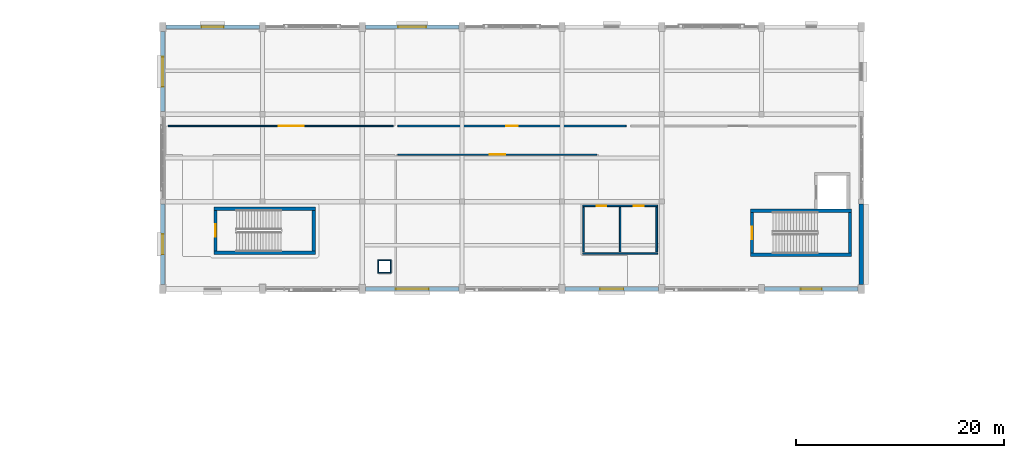
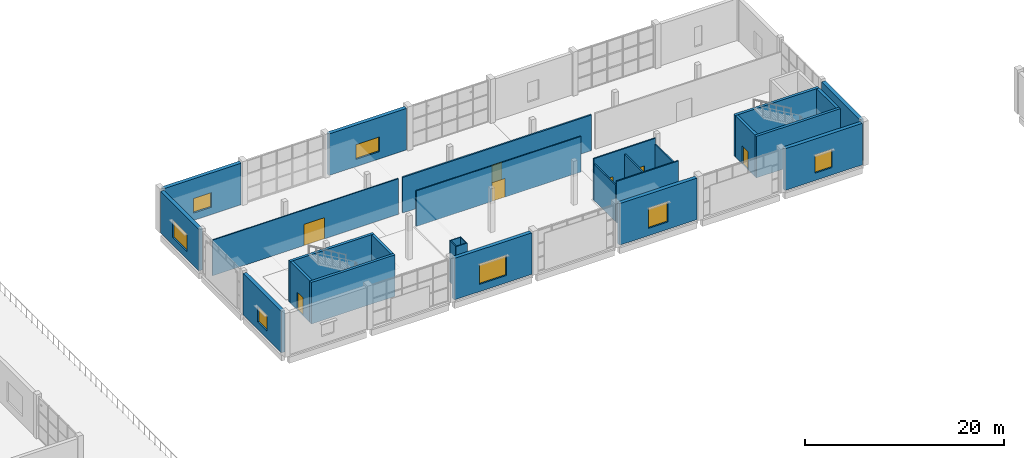
# One storey, part 48 of 72: 28 walls, 7 doors, 7 windows, 14 openings.
"""IFC4 building model written with IfcOpenShell, lengths in metres."""

from ifc_helpers import new_model, si_unit, direction, frame, frame_2d, origin, place, context, subcontext, project, spatial, rectangle, extrude, material, layer, layer_set, type_object, element, fill, save


model = new_model("IFC4")

# Units and contexts
model_context = context("Model", 3, precision=1e-05, world=origin(), true_north=direction((0.0, 1.0)))
body_context = subcontext(model_context, "Body", "Model", "MODEL_VIEW")
ifc_project = project(units=[si_unit("LENGTHUNIT", "METRE"), si_unit("AREAUNIT", "SQUARE_METRE"), si_unit("VOLUMEUNIT", "CUBIC_METRE"), si_unit("PLANEANGLEUNIT", "RADIAN"), si_unit("MASSUNIT", "GRAM", prefix="KILO")], contexts=[model_context])

# Site, building, storey
site_placement = place(None, origin())
site = spatial("IfcSite", under=ifc_project, at=site_placement, CompositionType="ELEMENT")
building_placement = place(site_placement, origin())
building = spatial("IfcBuilding", under=site, at=building_placement, Name="Shalvenor Court Art Gallery", CompositionType="ELEMENT")
storey_placement = place(building_placement, frame((0.0, 0.0, 11.39990234375)))
storey = spatial("IfcBuildingStorey", under=building, at=storey_placement, Name="L02", CompositionType="ELEMENT", Elevation=11.39990234375)

# Walls
ifc_material_1 = material(Name="Concrete C40/50", Category="concrete")
ifc_layer_1 = layer(ifc_material_1, 0.31005859375, Name="Concrete C40/50")
ifc_layer_set_1 = layer_set([ifc_layer_1], Name="Concrete C40/50")
wall_type_1 = type_object("IfcWallType", Name="CW-W2", PredefinedType="SHEAR", material=ifc_layer_set_1)
wall_1_placement = place(storey_placement, frame((114.1279296875, 104.717041015625, 0.0), z_axis=(0.0, 0.0, 1.0), x_axis=(1.0, 0.0, 0.0)))
element("IfcWall", 1, at=wall_1_placement, inside=storey, type_object=wall_type_1, Name="L02 C5 Stair Core Shear Wall N", PredefinedType="SHEAR", context=body_context, shape_type="SweptSolid", body=[
    extrude(rectangle(XDim=9.744140625, YDim=0.31005859375, at=frame_2d((4.8720703125, 0.0))), origin(), (0.0, 0.0, 1.0), 5.10009765625),
])
wall_2_placement = place(storey_placement, frame((123.717041015625, 104.56201171875, 0.0), z_axis=(0.0, 0.0, 1.0), x_axis=(0.0, -1.0, 0.0)))
element("IfcWall", 2, at=wall_2_placement, inside=storey, type_object=wall_type_1, Name="L02 C5 Stair Core Shear Wall E", PredefinedType="SHEAR", context=body_context, shape_type="SweptSolid", body=[
    extrude(rectangle(XDim=3.924072265625, YDim=0.31005859375, at=frame_2d((1.9619140625, 0.0))), origin(), (0.0, 0.0, 1.0), 5.10009765625),
])
wall_3_placement = place(storey_placement, frame((123.8720703125, 100.48291015625, 0.0), z_axis=(0.0, 0.0, 1.0), x_axis=(-1.0, 0.0, 0.0)))
element("IfcWall", 3, at=wall_3_placement, inside=storey, type_object=wall_type_1, Name="L02 C5 Stair Core Shear Wall S", PredefinedType="SHEAR", context=body_context, shape_type="SweptSolid", body=[
    extrude(rectangle(XDim=9.744140625, YDim=0.31005859375, at=frame_2d((4.8720703125, 0.0))), origin(), (0.0, 0.0, 1.0), 5.10009765625),
])

# Wall, opening, door
wall_4_placement = place(storey_placement, frame((114.282958984375, 100.637939453125, 0.0), z_axis=(0.0, 0.0, 1.0), x_axis=(0.0, 1.0, 0.0)))
wall_4 = element("IfcWall", 4, at=wall_4_placement, inside=storey, type_object=wall_type_1, Name="L02 C5 Stair Core Shear Wall W", PredefinedType="SHEAR", context=body_context, shape_type="SweptSolid", body=[
    extrude(rectangle(XDim=3.924072265625, YDim=0.31005859375, at=frame_2d((1.9619140625, 0.0))), origin(), (0.0, 0.0, 1.0), 5.10009765625),
])
opening_1_placement = place(wall_4_placement, frame((1.362060546875, 0.0, 0.0)))
opening_1 = element("IfcOpeningElement", 5, at=opening_1_placement, cuts=wall_4, Name="Opening FD-01", PredefinedType="OPENING", context=body_context, shape_type="SweptSolid", body=[
    extrude(rectangle(XDim=1.199951171875, YDim=2.199951171875, at=frame_2d((0.60009765625, 1.10009765625))), frame((0.0, 0.1650390625, 0.0), z_axis=(0.0, -1.0, 0.0), x_axis=(1.0, 0.0, 0.0)), (0.0, 0.0, 1.0), 0.330078125),
])
ifc_material_2 = material(Name="Fire-rated steel stair doorset", Category="steel")
door_type_1 = type_object("IfcDoorType", Name="FD-01", OperationType="NOTDEFINED", PredefinedType="DOOR", material=ifc_material_2)
door_1_placement = place(opening_1_placement, origin())
door_1 = element("IfcDoor", 6, at=door_1_placement, inside=storey, type_object=door_type_1, Name="DR-ST-L02-C5 L02 ST-05 Fire Stair Door", OperationType="SINGLE_SWING_LEFT", OverallHeight=2.199951171875, OverallWidth=1.199951171875, PredefinedType="DOOR", context=body_context, shape_type="SweptSolid", body=[
    extrude(rectangle(XDim=1.199951171875, YDim=2.199951171875, at=frame_2d((0.60009765625, 1.10009765625))), frame((0.0, 0.02490234375, 0.0), z_axis=(0.0, -1.0, 0.0), x_axis=(1.0, 0.0, 0.0)), (0.0, 0.0, 1.0), 0.050048828125),
])
fill(opening_1, door_1)

# Walls
wall_5_placement = place(storey_placement, frame((62.528076171875, 104.9169921875, 0.0), z_axis=(0.0, 0.0, 1.0), x_axis=(1.0, 0.0, 0.0)))
element("IfcWall", 7, at=wall_5_placement, inside=storey, type_object=wall_type_1, Name="L02 C9 Stair Core Shear Wall N", PredefinedType="SHEAR", context=body_context, shape_type="SweptSolid", body=[
    extrude(rectangle(XDim=9.743896484375, YDim=0.31005859375, at=frame_2d((4.8720703125, 0.0))), origin(), (0.0, 0.0, 1.0), 5.10009765625),
])
wall_6_placement = place(storey_placement, frame((72.116943359375, 104.761962890625, 0.0), z_axis=(0.0, 0.0, 1.0), x_axis=(0.0, -1.0, 0.0)))
element("IfcWall", 8, at=wall_6_placement, inside=storey, type_object=wall_type_1, Name="L02 C9 Stair Core Shear Wall E", PredefinedType="SHEAR", context=body_context, shape_type="SweptSolid", body=[
    extrude(rectangle(XDim=3.924072265625, YDim=0.31005859375, at=frame_2d((1.9619140625, 0.0))), origin(), (0.0, 0.0, 1.0), 5.10009765625),
])
wall_7_placement = place(storey_placement, frame((72.27197265625, 100.68310546875, 0.0), z_axis=(0.0, 0.0, 1.0), x_axis=(-1.0, 0.0, 0.0)))
element("IfcWall", 9, at=wall_7_placement, inside=storey, type_object=wall_type_1, Name="L02 C9 Stair Core Shear Wall S", PredefinedType="SHEAR", context=body_context, shape_type="SweptSolid", body=[
    extrude(rectangle(XDim=9.743896484375, YDim=0.31005859375, at=frame_2d((4.8720703125, 0.0))), origin(), (0.0, 0.0, 1.0), 5.10009765625),
])

# Wall, opening, door
wall_8_placement = place(storey_placement, frame((62.68310546875, 100.837890625, 0.0), z_axis=(0.0, 0.0, 1.0), x_axis=(0.0, 1.0, 0.0)))
wall_8 = element("IfcWall", 10, at=wall_8_placement, inside=storey, type_object=wall_type_1, Name="L02 C9 Stair Core Shear Wall W", PredefinedType="SHEAR", context=body_context, shape_type="SweptSolid", body=[
    extrude(rectangle(XDim=3.924072265625, YDim=0.31005859375, at=frame_2d((1.9619140625, 0.0))), origin(), (0.0, 0.0, 1.0), 5.10009765625),
])
opening_2_placement = place(wall_8_placement, frame((1.362060546875, 0.0, 0.0)))
opening_2 = element("IfcOpeningElement", 11, at=opening_2_placement, cuts=wall_8, Name="Opening FD-01", PredefinedType="OPENING", context=body_context, shape_type="SweptSolid", body=[
    extrude(rectangle(XDim=1.199951171875, YDim=2.199951171875, at=frame_2d((0.60009765625, 1.10009765625))), frame((0.0, 0.1650390625, 0.0), z_axis=(0.0, -1.0, 0.0), x_axis=(1.0, 0.0, 0.0)), (0.0, 0.0, 1.0), 0.330078125),
])
door_2_placement = place(opening_2_placement, origin())
door_2 = element("IfcDoor", 12, at=door_2_placement, inside=storey, type_object=door_type_1, Name="DR-ST-L02-C9 L02 ST-09 Fire Stair Door", OperationType="SINGLE_SWING_LEFT", OverallHeight=2.199951171875, OverallWidth=1.199951171875, PredefinedType="DOOR", context=body_context, shape_type="SweptSolid", body=[
    extrude(rectangle(XDim=1.199951171875, YDim=2.199951171875, at=frame_2d((0.60009765625, 1.10009765625))), frame((0.0, 0.02490234375, 0.0), z_axis=(0.0, -1.0, 0.0), x_axis=(1.0, 0.0, 0.0)), (0.0, 0.0, 1.0), 0.050048828125),
])
fill(opening_2, door_2)

# Wall, opening, window
ifc_material_3 = material(Name="Concrete C40/50", Category="concrete")
ifc_layer_2 = layer(ifc_material_3, 0.419921875, Name="Concrete C40/50")
ifc_layer_set_2 = layer_set([ifc_layer_2], Name="Concrete C40/50")
wall_type_2 = type_object("IfcWallType", Name="EW-02", PredefinedType="SOLIDWALL", material=ifc_layer_set_2)
wall_9_placement = place(storey_placement, frame((57.89990234375, 122.39990234375, 0.0), z_axis=(0.0, 0.0, 1.0), x_axis=(1.0, 0.0, 0.0)))
wall_9 = element("IfcWall", 13, at=wall_9_placement, inside=storey, type_object=wall_type_2, Name="L02 V2 Exterior Wall WL-L02-0142", PredefinedType="SOLIDWALL", context=body_context, shape_type="SweptSolid", body=[
    extrude(rectangle(XDim=9.0, YDim=0.419921875, at=frame_2d((4.5, 0.0))), origin(), (0.0, 0.0, 1.0), 5.10009765625),
])
opening_3_placement = place(wall_9_placement, frame((3.449951171875, 0.0, 0.89990234375)))
opening_3 = element("IfcOpeningElement", 14, at=opening_3_placement, cuts=wall_9, Name="Opening WN-11", PredefinedType="OPENING", context=body_context, shape_type="SweptSolid", body=[
    extrude(rectangle(XDim=2.10009765625, YDim=1.800048828125, at=frame_2d((1.050048828125, 0.89990234375))), frame((0.0, 0.219970703125, 0.0), z_axis=(0.0, -1.0, 0.0), x_axis=(1.0, 0.0, 0.0)), (0.0, 0.0, 1.0), 0.43994140625),
])
ifc_material_4 = material(Name="Acoustic laminated studio IGU", Category="glass")
window_type_1 = type_object("IfcWindowType", Name="WN-11", PartitioningType="SINGLE_PANEL", PredefinedType="WINDOW", material=ifc_material_4)
window_1_placement = place(opening_3_placement, origin())
window_1 = element("IfcWindow", 15, at=window_1_placement, inside=storey, type_object=window_type_1, Name="L02 Window WIN-L02-0033", OverallHeight=1.800048828125, OverallWidth=2.10009765625, PartitioningType="SINGLE_PANEL", PredefinedType="WINDOW", context=body_context, shape_type="SweptSolid", body=[
    extrude(rectangle(XDim=2.10009765625, YDim=1.800048828125, at=frame_2d((1.050048828125, 0.89990234375))), frame((0.0, 0.030029296875, 0.0), z_axis=(0.0, -1.0, 0.0), x_axis=(1.0, 0.0, 0.0)), (0.0, 0.0, 1.0), 0.06005859375),
])
fill(opening_3, window_1)

wall_10_placement = place(storey_placement, frame((77.10009765625, 122.39990234375, 0.0), z_axis=(0.0, 0.0, 1.0), x_axis=(1.0, 0.0, 0.0)))
wall_10 = element("IfcWall", 16, at=wall_10_placement, inside=storey, type_object=wall_type_2, Name="L02 V2 Exterior Wall WL-L02-0143", PredefinedType="SOLIDWALL", context=body_context, shape_type="SweptSolid", body=[
    extrude(rectangle(XDim=9.0, YDim=0.419921875, at=frame_2d((4.5, 0.0))), origin(), (0.0, 0.0, 1.0), 5.10009765625),
])
opening_4_placement = place(wall_10_placement, frame((3.14990234375, 0.0, 0.89990234375)))
opening_4 = element("IfcOpeningElement", 17, at=opening_4_placement, cuts=wall_10, Name="Opening WN-12", PredefinedType="OPENING", context=body_context, shape_type="SweptSolid", body=[
    extrude(rectangle(XDim=2.699951171875, YDim=1.800048828125, at=frame_2d((1.35009765625, 0.89990234375))), frame((0.0, 0.219970703125, 0.0), z_axis=(0.0, -1.0, 0.0), x_axis=(1.0, 0.0, 0.0)), (0.0, 0.0, 1.0), 0.43994140625),
])
ifc_material_5 = material(Name="Acoustic laminated studio IGU", Category="glass")
window_type_2 = type_object("IfcWindowType", Name="WN-12", PartitioningType="SINGLE_PANEL", PredefinedType="WINDOW", material=ifc_material_5)
window_2_placement = place(opening_4_placement, origin())
window_2 = element("IfcWindow", 18, at=window_2_placement, inside=storey, type_object=window_type_2, Name="L02 Window WIN-L02-0034", OverallHeight=1.800048828125, OverallWidth=2.699951171875, PartitioningType="SINGLE_PANEL", PredefinedType="WINDOW", context=body_context, shape_type="SweptSolid", body=[
    extrude(rectangle(XDim=2.699951171875, YDim=1.800048828125, at=frame_2d((1.35009765625, 0.89990234375))), frame((0.0, 0.030029296875, 0.0), z_axis=(0.0, -1.0, 0.0), x_axis=(1.0, 0.0, 0.0)), (0.0, 0.0, 1.0), 0.06005859375),
])
fill(opening_4, window_2)

# Wall
wall_11_placement = place(storey_placement, frame((124.800048828125, 105.35009765625, 0.0), z_axis=(0.0, 0.0, 1.0), x_axis=(0.0, -1.0, 0.0)))
element("IfcWall", 19, at=wall_11_placement, inside=storey, type_object=wall_type_2, Name="L02 V2 Exterior Wall WL-L02-0147", PredefinedType="SOLIDWALL", context=body_context, shape_type="SweptSolid", body=[
    extrude(rectangle(XDim=7.7001953125, YDim=0.419921875, at=frame_2d((3.85009765625, 0.0))), origin(), (0.0, 0.0, 1.0), 5.10009765625),
])

# Wall, opening, window
wall_12_placement = place(storey_placement, frame((124.5, 97.199951171875, 0.0), z_axis=(0.0, 0.0, 1.0), x_axis=(-1.0, 0.0, 0.0)))
wall_12 = element("IfcWall", 20, at=wall_12_placement, inside=storey, type_object=wall_type_2, Name="L02 V2 Exterior Wall WL-L02-0148", PredefinedType="SOLIDWALL", context=body_context, shape_type="SweptSolid", body=[
    extrude(rectangle(XDim=9.0, YDim=0.419921875, at=frame_2d((4.5, 0.0))), origin(), (0.0, 0.0, 1.0), 5.10009765625),
])
opening_5_placement = place(wall_12_placement, frame((3.5, 0.0, 0.89990234375)))
opening_5 = element("IfcOpeningElement", 21, at=opening_5_placement, cuts=wall_12, Name="Opening WN-16", PredefinedType="OPENING", context=body_context, shape_type="SweptSolid", body=[
    extrude(rectangle(XDim=2.0, YDim=2.25, at=frame_2d((1.0, 1.125))), frame((0.0, 0.219970703125, 0.0), z_axis=(0.0, -1.0, 0.0), x_axis=(1.0, 0.0, 0.0)), (0.0, 0.0, 1.0), 0.43994140625),
])
ifc_material_6 = material(Name="Low-iron solar-control double IGU", Category="glass")
window_type_3 = type_object("IfcWindowType", Name="WN-16", PartitioningType="SINGLE_PANEL", PredefinedType="WINDOW", material=ifc_material_6)
window_3_placement = place(opening_5_placement, origin())
window_3 = element("IfcWindow", 22, at=window_3_placement, inside=storey, type_object=window_type_3, Name="L02 Window WIN-L02-0038", OverallHeight=2.25, OverallWidth=2.0, PartitioningType="SINGLE_PANEL", PredefinedType="WINDOW", context=body_context, shape_type="SweptSolid", body=[
    extrude(rectangle(XDim=2.0, YDim=2.25, at=frame_2d((1.0, 1.125))), frame((0.0, 0.030029296875, 0.0), z_axis=(0.0, -1.0, 0.0), x_axis=(1.0, 0.0, 0.0)), (0.0, 0.0, 1.0), 0.06005859375),
])
fill(opening_5, window_3)

wall_13_placement = place(storey_placement, frame((105.300048828125, 97.199951171875, 0.0), z_axis=(0.0, 0.0, 1.0), x_axis=(-1.0, 0.0, 0.0)))
wall_13 = element("IfcWall", 23, at=wall_13_placement, inside=storey, type_object=wall_type_2, Name="L02 V2 Exterior Wall WL-L02-0149", PredefinedType="SOLIDWALL", context=body_context, shape_type="SweptSolid", body=[
    extrude(rectangle(XDim=9.0, YDim=0.419921875, at=frame_2d((4.5, 0.0))), origin(), (0.0, 0.0, 1.0), 5.10009765625),
])
opening_6_placement = place(wall_13_placement, frame((3.375, 0.0, 0.89990234375)))
opening_6 = element("IfcOpeningElement", 24, at=opening_6_placement, cuts=wall_13, Name="Opening WN-17", PredefinedType="OPENING", context=body_context, shape_type="SweptSolid", body=[
    extrude(rectangle(XDim=2.25, YDim=2.5, at=frame_2d((1.125, 1.25))), frame((0.0, 0.219970703125, 0.0), z_axis=(0.0, -1.0, 0.0), x_axis=(1.0, 0.0, 0.0)), (0.0, 0.0, 1.0), 0.43994140625),
])
ifc_material_7 = material(Name="North-light conservation clear IGU", Category="glass")
window_type_4 = type_object("IfcWindowType", Name="WN-17", PartitioningType="SINGLE_PANEL", PredefinedType="WINDOW", material=ifc_material_7)
window_4_placement = place(opening_6_placement, origin())
window_4 = element("IfcWindow", 25, at=window_4_placement, inside=storey, type_object=window_type_4, Name="L02 Window WIN-L02-0039", OverallHeight=2.5, OverallWidth=2.25, PartitioningType="SINGLE_PANEL", PredefinedType="WINDOW", context=body_context, shape_type="SweptSolid", body=[
    extrude(rectangle(XDim=2.25, YDim=2.5, at=frame_2d((1.125, 1.25))), frame((0.0, 0.030029296875, 0.0), z_axis=(0.0, -1.0, 0.0), x_axis=(1.0, 0.0, 0.0)), (0.0, 0.0, 1.0), 0.06005859375),
])
fill(opening_6, window_4)

wall_14_placement = place(storey_placement, frame((86.10009765625, 97.199951171875, 0.0), z_axis=(0.0, 0.0, 1.0), x_axis=(-1.0, 0.0, 0.0)))
wall_14 = element("IfcWall", 26, at=wall_14_placement, inside=storey, type_object=wall_type_2, Name="L02 V2 Exterior Wall WL-L02-0150", PredefinedType="SOLIDWALL", context=body_context, shape_type="SweptSolid", body=[
    extrude(rectangle(XDim=9.0, YDim=0.419921875, at=frame_2d((4.5, 0.0))), origin(), (0.0, 0.0, 1.0), 5.10009765625),
])
opening_7_placement = place(wall_14_placement, frame((2.925048828125, 0.0, 0.89990234375)))
opening_7 = element("IfcOpeningElement", 27, at=opening_7_placement, cuts=wall_14, Name="Opening WN-18", PredefinedType="OPENING", context=body_context, shape_type="SweptSolid", body=[
    extrude(rectangle(XDim=3.14990234375, YDim=2.5, at=frame_2d((1.574951171875, 1.25))), frame((0.0, 0.219970703125, 0.0), z_axis=(0.0, -1.0, 0.0), x_axis=(1.0, 0.0, 0.0)), (0.0, 0.0, 1.0), 0.43994140625),
])
ifc_material_8 = material(Name="North-light conservation clear IGU", Category="glass")
window_type_5 = type_object("IfcWindowType", Name="WN-18", PartitioningType="SINGLE_PANEL", PredefinedType="WINDOW", material=ifc_material_8)
window_5_placement = place(opening_7_placement, origin())
window_5 = element("IfcWindow", 28, at=window_5_placement, inside=storey, type_object=window_type_5, Name="L02 Window WIN-L02-0040", OverallHeight=2.5, OverallWidth=3.14990234375, PartitioningType="SINGLE_PANEL", PredefinedType="WINDOW", context=body_context, shape_type="SweptSolid", body=[
    extrude(rectangle(XDim=3.14990234375, YDim=2.5, at=frame_2d((1.574951171875, 1.25))), frame((0.0, 0.030029296875, 0.0), z_axis=(0.0, -1.0, 0.0), x_axis=(1.0, 0.0, 0.0)), (0.0, 0.0, 1.0), 0.06005859375),
])
fill(opening_7, window_5)

wall_15_placement = place(storey_placement, frame((57.60009765625, 97.64990234375, 0.0), z_axis=(0.0, 0.0, 1.0), x_axis=(0.0, 1.0, 0.0)))
wall_15 = element("IfcWall", 29, at=wall_15_placement, inside=storey, type_object=wall_type_2, Name="L02 V2 Exterior Wall WL-L02-0152", PredefinedType="SOLIDWALL", context=body_context, shape_type="SweptSolid", body=[
    extrude(rectangle(XDim=7.7001953125, YDim=0.419921875, at=frame_2d((3.85009765625, 0.0))), origin(), (0.0, 0.0, 1.0), 5.10009765625),
])
opening_8_placement = place(wall_15_placement, frame((2.875, 0.0, 0.89990234375)))
opening_8 = element("IfcOpeningElement", 30, at=opening_8_placement, cuts=wall_15, Name="Opening WN-20", PredefinedType="OPENING", context=body_context, shape_type="SweptSolid", body=[
    extrude(rectangle(XDim=1.949951171875, YDim=1.949951171875, at=frame_2d((0.97509765625, 0.97509765625))), frame((0.0, 0.219970703125, 0.0), z_axis=(0.0, -1.0, 0.0), x_axis=(1.0, 0.0, 0.0)), (0.0, 0.0, 1.0), 0.43994140625),
])
ifc_material_9 = material(Name="Deep-reveal slot limestone window IGU", Category="masonry")
window_type_6 = type_object("IfcWindowType", Name="WN-20", PartitioningType="SINGLE_PANEL", PredefinedType="WINDOW", material=ifc_material_9)
window_6_placement = place(opening_8_placement, origin())
window_6 = element("IfcWindow", 31, at=window_6_placement, inside=storey, type_object=window_type_6, Name="L02 Window WIN-L02-0042", OverallHeight=1.949951171875, OverallWidth=1.949951171875, PartitioningType="SINGLE_PANEL", PredefinedType="WINDOW", context=body_context, shape_type="SweptSolid", body=[
    extrude(rectangle(XDim=1.949951171875, YDim=1.949951171875, at=frame_2d((0.97509765625, 0.97509765625))), frame((0.0, 0.030029296875, 0.0), z_axis=(0.0, -1.0, 0.0), x_axis=(1.0, 0.0, 0.0)), (0.0, 0.0, 1.0), 0.06005859375),
])
fill(opening_8, window_6)

wall_16_placement = place(storey_placement, frame((57.60009765625, 114.25, 0.0), z_axis=(0.0, 0.0, 1.0), x_axis=(0.0, 1.0, 0.0)))
wall_16 = element("IfcWall", 32, at=wall_16_placement, inside=storey, type_object=wall_type_2, Name="L02 V2 Exterior Wall WL-L02-0153", PredefinedType="SOLIDWALL", context=body_context, shape_type="SweptSolid", body=[
    extrude(rectangle(XDim=7.699951171875, YDim=0.419921875, at=frame_2d((3.85009765625, 0.0))), origin(), (0.0, 0.0, 1.0), 5.10009765625),
])
opening_9_placement = place(wall_16_placement, frame((2.425048828125, 0.0, 0.89990234375)))
opening_9 = element("IfcOpeningElement", 33, at=opening_9_placement, cuts=wall_16, Name="Opening WN-21", PredefinedType="OPENING", context=body_context, shape_type="SweptSolid", body=[
    extrude(rectangle(XDim=2.85009765625, YDim=2.14990234375, at=frame_2d((1.425048828125, 1.074951171875))), frame((0.0, 0.219970703125, 0.0), z_axis=(0.0, -1.0, 0.0), x_axis=(1.0, 0.0, 0.0)), (0.0, 0.0, 1.0), 0.43994140625),
])
ifc_material_10 = material(Name="Low-iron solar-control double IGU", Category="glass")
window_type_7 = type_object("IfcWindowType", Name="WN-21", PartitioningType="SINGLE_PANEL", PredefinedType="WINDOW", material=ifc_material_10)
window_7_placement = place(opening_9_placement, origin())
window_7 = element("IfcWindow", 34, at=window_7_placement, inside=storey, type_object=window_type_7, Name="L02 Window WIN-L02-0043", OverallHeight=2.14990234375, OverallWidth=2.85009765625, PartitioningType="SINGLE_PANEL", PredefinedType="WINDOW", context=body_context, shape_type="SweptSolid", body=[
    extrude(rectangle(XDim=2.85009765625, YDim=2.14990234375, at=frame_2d((1.425048828125, 1.074951171875))), frame((0.0, 0.030029296875, 0.0), z_axis=(0.0, -1.0, 0.0), x_axis=(1.0, 0.0, 0.0)), (0.0, 0.0, 1.0), 0.06005859375),
])
fill(opening_9, window_7)

# Wall, opening, door
ifc_material_11 = material(Name="Plywood-backed acoustic art-hanging partition", Category="wood")
ifc_layer_3 = layer(ifc_material_11, 0.179931640625, Name="Plywood-backed acoustic art-hanging partition")
ifc_layer_set_3 = layer_set([ifc_layer_3], Name="Plywood-backed acoustic art-hanging partition")
wall_type_3 = type_object("IfcWallType", Name="PT-01", PredefinedType="PARTITIONING", material=ifc_layer_set_3)
wall_17_placement = place(storey_placement, frame((102.169921875, 112.8798828125, 0.0), z_axis=(0.0, 0.0, 1.0), x_axis=(-1.0, 0.0, 0.0)))
wall_17 = element("IfcWall", 35, at=wall_17_placement, inside=storey, type_object=wall_type_3, Name="L02 Photography Exhibition Gallery Wing B Partition 645", PredefinedType="PARTITIONING", context=body_context, shape_type="SweptSolid", body=[
    extrude(rectangle(XDim=21.93994140625, YDim=0.179931640625, at=frame_2d((10.969970703125, 0.0))), origin(), (0.0, 0.0, 1.0), 4.375),
])
opening_10_placement = place(wall_17_placement, frame((10.39501953125, 0.0, 0.0)))
opening_10 = element("IfcOpeningElement", 36, at=opening_10_placement, cuts=wall_17, Name="Opening ID-10", PredefinedType="OPENING", context=body_context, shape_type="SweptSolid", body=[
    extrude(rectangle(XDim=1.14990234375, YDim=2.199951171875, at=frame_2d((0.574951171875, 1.10009765625))), frame((0.0, 0.099853515625, 0.0), z_axis=(0.0, -1.0, 0.0), x_axis=(1.0, 0.0, 0.0)), (0.0, 0.0, 1.0), 0.199951171875),
])
ifc_material_12 = material(Name="Acoustic conservation lab single doorset", Category="steel")
door_type_2 = type_object("IfcDoorType", Name="ID-10", OperationType="NOTDEFINED", PredefinedType="DOOR", material=ifc_material_12)
door_3_placement = place(opening_10_placement, origin())
door_3 = element("IfcDoor", 37, at=door_3_placement, inside=storey, type_object=door_type_2, Name="DR-RM-L02-0176 L02 Photography Exhibition Gallery Wing B Door", OperationType="SINGLE_SWING_RIGHT", OverallHeight=2.199951171875, OverallWidth=1.14990234375, PredefinedType="DOOR", context=body_context, shape_type="SweptSolid", body=[
    extrude(rectangle(XDim=1.14990234375, YDim=2.199951171875, at=frame_2d((0.574951171875, 1.10009765625))), frame((0.0, 0.02490234375, 0.0), z_axis=(0.0, -1.0, 0.0), x_axis=(1.0, 0.0, 0.0)), (0.0, 0.0, 1.0), 0.050048828125),
])
fill(opening_10, door_3)

# Wall, openings, doors
ifc_material_13 = material(Name="Moisture-resistant sanitary partition", Category="other")
ifc_layer_4 = layer(ifc_material_13, 0.14990234375, Name="Moisture-resistant sanitary partition")
ifc_layer_set_4 = layer_set([ifc_layer_4], Name="Moisture-resistant sanitary partition")
wall_type_4 = type_object("IfcWallType", Name="PT-03", PredefinedType="PARTITIONING", material=ifc_layer_set_4)
wall_18_placement = place(storey_placement, frame((98.0, 105.199951171875, 0.0), z_axis=(0.0, 0.0, 1.0), x_axis=(1.0, 0.0, 0.0)))
wall_18 = element("IfcWall", 38, at=wall_18_placement, inside=storey, type_object=wall_type_4, Name="L02 C5 Restroom Front Partition", PredefinedType="PARTITIONING", context=body_context, shape_type="SweptSolid", body=[
    extrude(rectangle(XDim=7.199951171875, YDim=0.14990234375, at=frame_2d((3.60009765625, 0.0))), origin(), (0.0, 0.0, 1.0), 5.10009765625),
])
opening_11_placement = place(wall_18_placement, frame((1.35009765625, 0.0, 0.0)))
opening_11 = element("IfcOpeningElement", 39, at=opening_11_placement, cuts=wall_18, Name="Opening ID-07", PredefinedType="OPENING", context=body_context, shape_type="SweptSolid", body=[
    extrude(rectangle(XDim=0.89990234375, YDim=2.10009765625, at=frame_2d((0.449951171875, 1.050048828125))), frame((0.0, 0.0849609375, 0.0), z_axis=(0.0, -1.0, 0.0), x_axis=(1.0, 0.0, 0.0)), (0.0, 0.0, 1.0), 0.169921875),
])
opening_12_placement = place(wall_18_placement, frame((4.925048828125, 0.0, 0.0)))
opening_12 = element("IfcOpeningElement", 40, at=opening_12_placement, cuts=wall_18, Name="Opening ID-06", PredefinedType="OPENING", context=body_context, shape_type="SweptSolid", body=[
    extrude(rectangle(XDim=0.949951171875, YDim=2.14990234375, at=frame_2d((0.47509765625, 1.074951171875))), frame((0.0, 0.0849609375, 0.0), z_axis=(0.0, -1.0, 0.0), x_axis=(1.0, 0.0, 0.0)), (0.0, 0.0, 1.0), 0.169921875),
])
ifc_material_14 = material(Name="Accessible restroom doorset", Category="steel")
door_type_3 = type_object("IfcDoorType", Name="ID-06", OperationType="NOTDEFINED", PredefinedType="DOOR", material=ifc_material_14)
door_4_placement = place(opening_12_placement, origin())
door_4 = element("IfcDoor", 41, at=door_4_placement, inside=storey, type_object=door_type_3, Name="DR-AWC-L02-C5-2 L02 C5 Accessible Restroom Door", OperationType="SINGLE_SWING_LEFT", OverallHeight=2.14990234375, OverallWidth=0.949951171875, PredefinedType="DOOR", context=body_context, shape_type="SweptSolid", body=[
    extrude(rectangle(XDim=0.949951171875, YDim=2.14990234375, at=frame_2d((0.47509765625, 1.074951171875))), frame((0.0, 0.02490234375, 0.0), z_axis=(0.0, -1.0, 0.0), x_axis=(1.0, 0.0, 0.0)), (0.0, 0.0, 1.0), 0.050048828125),
])
fill(opening_12, door_4)
ifc_material_15 = material(Name="Restroom timber doorset", Category="wood")
door_type_4 = type_object("IfcDoorType", Name="ID-07", OperationType="NOTDEFINED", PredefinedType="DOOR", material=ifc_material_15)
door_5_placement = place(opening_11_placement, origin())
door_5 = element("IfcDoor", 42, at=door_5_placement, inside=storey, type_object=door_type_4, Name="DR-WC-L02-C5-1 L02 C5 Public Restroom Door", OperationType="SINGLE_SWING_RIGHT", OverallHeight=2.10009765625, OverallWidth=0.89990234375, PredefinedType="DOOR", context=body_context, shape_type="SweptSolid", body=[
    extrude(rectangle(XDim=0.89990234375, YDim=2.10009765625, at=frame_2d((0.449951171875, 1.050048828125))), frame((0.0, 0.02490234375, 0.0), z_axis=(0.0, -1.0, 0.0), x_axis=(1.0, 0.0, 0.0)), (0.0, 0.0, 1.0), 0.050048828125),
])
fill(opening_11, door_5)

# Walls
wall_19_placement = place(storey_placement, frame((98.0, 100.60009765625, 0.0), z_axis=(0.0, 0.0, 1.0), x_axis=(1.0, 0.0, 0.0)))
element("IfcWall", 43, at=wall_19_placement, inside=storey, type_object=wall_type_4, Name="L02 C5 Restroom Back Partition", PredefinedType="PARTITIONING", context=body_context, shape_type="SweptSolid", body=[
    extrude(rectangle(XDim=7.199951171875, YDim=0.14990234375, at=frame_2d((3.60009765625, 0.0))), origin(), (0.0, 0.0, 1.0), 5.10009765625),
])
for number, where, z_axis, x_axis, name in (
    (44, (98.074951171875, 100.760009765625, 0.0), (0.0, 0.0, 1.0), (0.0, 1.0, 0.0), "L02 C5 Restroom Partition L"),
    (45, (101.60009765625, 100.760009765625, 0.0), (0.0, 0.0, 1.0), (0.0, 1.0, 0.0), "L02 C5 Restroom Partition M"),
    (46, (105.125, 100.760009765625, 0.0), (0.0, 0.0, 1.0), (0.0, 1.0, 0.0), "L02 C5 Restroom Partition R"),
):
    element("IfcWall", number, at=place(storey_placement, frame(where, z_axis=z_axis, x_axis=x_axis)), inside=storey, type_object=wall_type_4, Name=name, PredefinedType="PARTITIONING", context=body_context, shape_type="SweptSolid", body=[
        extrude(rectangle(XDim=4.280029296875, YDim=0.14990234375, at=frame_2d((2.14013671875, 0.0))), origin(), (0.0, 0.0, 1.0), 4.47509765625),
    ])

# Wall, opening, door
ifc_material_16 = material(Name="Insulated studio acoustic partition", Category="other")
ifc_layer_5 = layer(ifc_material_16, 0.135009765625, Name="Insulated studio acoustic partition")
ifc_layer_set_5 = layer_set([ifc_layer_5], Name="Insulated studio acoustic partition")
wall_type_5 = type_object("IfcWallType", Name="PT-04", PredefinedType="PARTITIONING", material=ifc_layer_set_5)
wall_20_placement = place(storey_placement, frame((79.77001953125, 112.8798828125, 0.0), z_axis=(0.0, 0.0, 1.0), x_axis=(-1.0, 0.0, 0.0)))
wall_20 = element("IfcWall", 47, at=wall_20_placement, inside=storey, type_object=wall_type_5, Name="L02 Permanent Painting Gallery Partition 643", PredefinedType="PARTITIONING", context=body_context, shape_type="SweptSolid", body=[
    extrude(rectangle(XDim=21.6201171875, YDim=0.135009765625, at=frame_2d((10.81005859375, 0.0))), origin(), (0.0, 0.0, 1.0), 4.375),
])
opening_13_placement = place(wall_20_placement, frame((8.610107421875, 0.0, 0.0)))
opening_13 = element("IfcOpeningElement", 48, at=opening_13_placement, cuts=wall_20, Name="Opening ID-08", PredefinedType="OPENING", context=body_context, shape_type="SweptSolid", body=[
    extrude(rectangle(XDim=2.39990234375, YDim=2.60009765625, at=frame_2d((1.199951171875, 1.300048828125))), frame((0.0, 0.077392578125, 0.0), z_axis=(0.0, -1.0, 0.0), x_axis=(1.0, 0.0, 0.0)), (0.0, 0.0, 1.0), 0.155029296875),
])
ifc_material_17 = material(Name="Oversized crate gallery portal double doorset", Category="steel")
door_type_5 = type_object("IfcDoorType", Name="ID-08", OperationType="NOTDEFINED", PredefinedType="DOOR", material=ifc_material_17)
door_6_placement = place(opening_13_placement, origin())
door_6 = element("IfcDoor", 49, at=door_6_placement, inside=storey, type_object=door_type_5, Name="DR-RM-L02-0174 L02 Permanent Painting Gallery Door", OperationType="DOUBLE_DOOR_SINGLE_SWING", OverallHeight=2.60009765625, OverallWidth=2.39990234375, PredefinedType="DOOR", context=body_context, shape_type="SweptSolid", body=[
    extrude(rectangle(XDim=2.39990234375, YDim=2.60009765625, at=frame_2d((1.199951171875, 1.300048828125))), frame((0.0, 0.02490234375, 0.0), z_axis=(0.0, -1.0, 0.0), x_axis=(1.0, 0.0, 0.0)), (0.0, 0.0, 1.0), 0.050048828125),
])
fill(opening_13, door_6)

ifc_material_18 = material(Name="Lightweight office gypsum partition", Category="other")
ifc_layer_6 = layer(ifc_material_18, 0.1201171875, Name="Lightweight office gypsum partition")
ifc_layer_set_6 = layer_set([ifc_layer_6], Name="Lightweight office gypsum partition")
wall_type_6 = type_object("IfcWallType", Name="PT-05", PredefinedType="PARTITIONING", material=ifc_layer_set_6)
wall_21_placement = place(storey_placement, frame((80.22998046875, 110.1201171875, 0.0), z_axis=(0.0, 0.0, 1.0), x_axis=(1.0, 0.0, 0.0)))
wall_21 = element("IfcWall", 50, at=wall_21_placement, inside=storey, type_object=wall_type_6, Name="L02 Photography Exhibition Gallery Partition 644", PredefinedType="PARTITIONING", context=body_context, shape_type="SweptSolid", body=[
    extrude(rectangle(XDim=19.14013671875, YDim=0.1201171875, at=frame_2d((9.570068359375, 0.0))), origin(), (0.0, 0.0, 1.0), 4.375),
])
opening_14_placement = place(wall_21_placement, frame((8.820068359375, 0.0, 0.0)))
opening_14 = element("IfcOpeningElement", 51, at=opening_14_placement, cuts=wall_21, Name="Opening ID-09", PredefinedType="OPENING", context=body_context, shape_type="SweptSolid", body=[
    extrude(rectangle(XDim=1.5, YDim=2.300048828125, at=frame_2d((0.75, 1.14990234375))), frame((0.0, 0.070068359375, 0.0), z_axis=(0.0, -1.0, 0.0), x_axis=(1.0, 0.0, 0.0)), (0.0, 0.0, 1.0), 0.14013671875),
])
ifc_material_19 = material(Name="Oak-veneered seminar double doorset", Category="wood")
door_type_6 = type_object("IfcDoorType", Name="ID-09", OperationType="NOTDEFINED", PredefinedType="DOOR", material=ifc_material_19)
door_7_placement = place(opening_14_placement, origin())
door_7 = element("IfcDoor", 52, at=door_7_placement, inside=storey, type_object=door_type_6, Name="DR-RM-L02-0175 L02 Photography Exhibition Gallery Door", OperationType="DOUBLE_DOOR_SINGLE_SWING", OverallHeight=2.300048828125, OverallWidth=1.5, PredefinedType="DOOR", context=body_context, shape_type="SweptSolid", body=[
    extrude(rectangle(XDim=1.5, YDim=2.300048828125, at=frame_2d((0.75, 1.14990234375))), frame((0.0, 0.02490234375, 0.0), z_axis=(0.0, -1.0, 0.0), x_axis=(1.0, 0.0, 0.0)), (0.0, 0.0, 1.0), 0.050048828125),
])
fill(opening_14, door_7)

# Walls
ifc_material_20 = material(Name="Service riser shaft gypsum partition", Category="other")
ifc_layer_7 = layer(ifc_material_20, 0.10009765625, Name="Service riser shaft gypsum partition")
ifc_layer_set_7 = layer_set([ifc_layer_7], Name="Service riser shaft gypsum partition")
wall_type_7 = type_object("IfcWallType", Name="PT-06", PredefinedType="PARTITIONING", material=ifc_layer_set_7)
for number, where, z_axis, x_axis, name in (
    (53, (78.300048828125, 99.949951171875, 0.0), (0.0, 0.0, 1.0), (1.0, 0.0, 0.0), "L02 Riser Shaft Wall 1.N"),
    (54, (79.60009765625, 98.75, 0.0), (0.0, 0.0, 1.0), (-1.0, 0.0, 0.0), "L02 Riser Shaft Wall 1.S"),
):
    element("IfcWall", number, at=place(storey_placement, frame(where, z_axis=z_axis, x_axis=x_axis)), inside=storey, type_object=wall_type_7, Name=name, PredefinedType="PARTITIONING", context=body_context, shape_type="SweptSolid", body=[
        extrude(rectangle(XDim=1.300048828125, YDim=0.10009765625, at=frame_2d((0.64990234375, 0.0))), origin(), (0.0, 0.0, 1.0), 5.10009765625),
    ])
for number, where, z_axis, x_axis, name in (
    (55, (78.35009765625, 98.800048828125, 0.0), (0.0, 0.0, 1.0), (0.0, 1.0, 0.0), "L02 Riser Shaft Wall 1.W"),
    (56, (79.550048828125, 99.89990234375, 0.0), (0.0, 0.0, 1.0), (0.0, -1.0, 0.0), "L02 Riser Shaft Wall 1.E"),
):
    element("IfcWall", number, at=place(storey_placement, frame(where, z_axis=z_axis, x_axis=x_axis)), inside=storey, type_object=wall_type_7, Name=name, PredefinedType="PARTITIONING", context=body_context, shape_type="SweptSolid", body=[
        extrude(rectangle(XDim=1.099853515625, YDim=0.10009765625, at=frame_2d((0.5498046875, 0.0))), origin(), (0.0, 0.0, 1.0), 5.10009765625),
    ])

save(model, "model.ifc")
